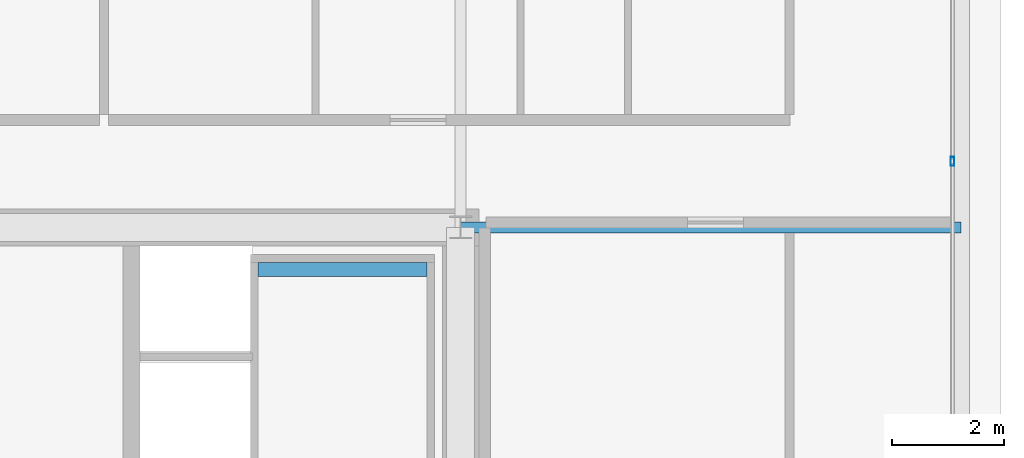
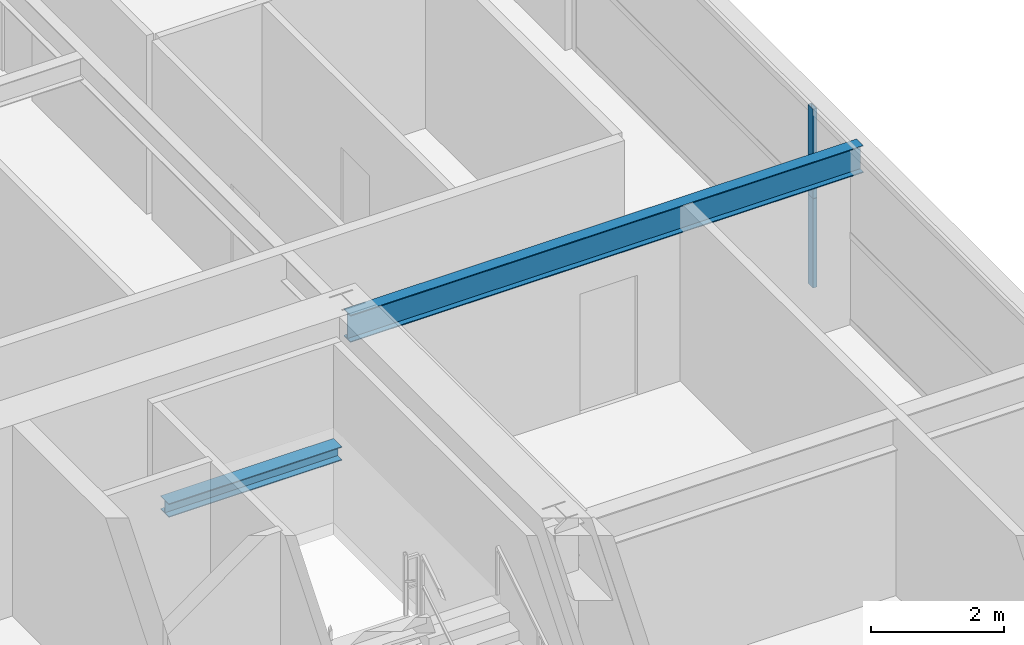
# One storey, part 21 of 38: 2 beams, 2 members, 1 element without a shape of its own.
"""IFC4 building model written with IfcOpenShell, lengths in metres."""

from ifc_helpers import new_model, si_unit, direction, frame, origin, origin_2d, place, context, subcontext, project, spatial, hollow_rectangle, i_section, extrude, source, transform, mapped, material, layer, layer_set, material_profile, profile_set, type_object, element, aggregate, save


model = new_model("IFC4")

# Units and contexts
model_context = context("Model", 3, precision=1e-05, world=origin(), true_north=direction((0.0, 1.0)))
body_context = subcontext(model_context, "Body", "Model", "MODEL_VIEW")
ifc_project = project(units=[si_unit("LENGTHUNIT", "METRE"), si_unit("AREAUNIT", "SQUARE_METRE"), si_unit("VOLUMEUNIT", "CUBIC_METRE"), si_unit("PLANEANGLEUNIT", "RADIAN"), si_unit("MASSUNIT", "GRAM", prefix="KILO"), si_unit("THERMODYNAMICTEMPERATUREUNIT", "KELVIN"), si_unit("POWERUNIT", "WATT")], contexts=[model_context])

# Site, building, storey
site_placement = place(None, origin())
site = spatial("IfcSite", under=ifc_project, at=site_placement, CompositionType="ELEMENT")
building_placement = place(site_placement, origin())
building = spatial("IfcBuilding", under=site, at=building_placement, Name="Yuzanri Waterfront Tower", CompositionType="ELEMENT")
storey_placement = place(building_placement, frame((0.0, 0.0, 209.0)))
storey = spatial("IfcBuildingStorey", under=building, at=storey_placement, Name="L55", CompositionType="ELEMENT", Elevation=209.0)

# Beam
ifc_material_1 = material(Name="Steel Q355B", Category="steel")
ifc_material_profile_1 = material_profile(ifc_material_1, i_section(OverallWidth=0.199951171875, OverallDepth=0.5, WebThickness=0.010009765625, FlangeThickness=0.01611328125, at=origin_2d()), Name="HN 500x200x10x16")
ifc_profile_set_1 = profile_set([ifc_material_profile_1], Name="Steel Q355B")
beam_type_1 = type_object("IfcBeamType", Name="Secondary Floor Beam Q355B HN 500x200", PredefinedType="BEAM", material=ifc_profile_set_1)
shared_shape_1 = source(origin(), body_context, "Body", "SweptSolid", [
    extrude(i_section(OverallWidth=0.199951171875, OverallDepth=0.5, WebThickness=0.010009765625, FlangeThickness=0.01611328125, at=origin_2d()), origin(), (0.0, 0.0, 1.0), 8.900146484375),
])
beam_1_placement = place(storey_placement, frame((50.199951171875, 32.199951171875, 3.030029296875), z_axis=(1.0, 0.0, 0.0), x_axis=(0.0, 1.0, 0.0)))
element("IfcBeam", 1, at=beam_1_placement, inside=storey, type_object=beam_type_1, Name="L55 East-North Core Line Beam", PredefinedType="BEAM", context=body_context, shape_type="MappedRepresentation", body=[
    mapped(shared_shape_1, transform((0.0, 0.0, 0.0), scale=1.0)),
])

# Curtain wall, members
ifc_material_2 = material(Name="Anodized Architectural Bronze", Category="metal")
ifc_layer = layer(ifc_material_2, 0.159912109375)
ifc_layer_set = layer_set([ifc_layer], Name="Anodized Architectural Bronze")
curtain_wall_type = type_object("IfcCurtainWallType", Name="Anodized Bronze Mid-Rise Residential Acoustic Unitized Curtain Wall 7200", PredefinedType="NOTDEFINED", material=ifc_layer_set)
curtain_wall_placement = place(storey_placement, origin())
curtain_wall = element("IfcCurtainWall", 2, at=curtain_wall_placement, inside=storey, type_object=curtain_wall_type, Name="L55 Curtain Wall CW-L55-ER", PredefinedType="NOTDEFINED")
ifc_material_3 = material(Name="Anodized Architectural Bronze", Category="metal")
ifc_material_profile_2 = material_profile(ifc_material_3, hollow_rectangle(XDim=0.06494140625, YDim=0.159912109375, WallThickness=0.00341796875, at=origin_2d()), Name="CWM 65x160")
ifc_profile_set_2 = profile_set([ifc_material_profile_2], Name="Anodized Architectural Bronze")
member_type = type_object("IfcMemberType", Name="Anodized Bronze Upper-Zone Curtain-Wall Mullion 65x160", PredefinedType="MULLION", material=ifc_profile_set_2)
shared_shape_2 = source(origin(), body_context, "Body", "SweptSolid", [
    extrude(hollow_rectangle(XDim=0.06494140625, YDim=0.159912109375, WallThickness=0.00341796875, at=origin_2d()), origin(), (0.0, 0.0, 1.0), 1.637939453125),
])
member_1_placement = place(storey_placement, frame((58.949951171875, 33.375, 0.0), z_axis=(0.0, 0.0, 1.0), x_axis=(1.0, 0.0, 0.0)))
member_1 = element("IfcMember", 3, at=member_1_placement, type_object=member_type, Name="CW-L55-ER Lower Mullion 01", PredefinedType="MULLION", context=body_context, shape_type="MappedRepresentation", body=[
    mapped(shared_shape_2, transform((0.0, 0.0, 0.0), scale=1.0)),
])
member_2_placement = place(storey_placement, frame((58.949951171875, 33.375, 1.64208984375), z_axis=(0.0, 0.0, 1.0), x_axis=(1.0, 0.0, 0.0)))
member_2 = element("IfcMember", 4, at=member_2_placement, type_object=member_type, Name="CW-L55-ER Upper Mullion 01", PredefinedType="MULLION", context=body_context, shape_type="MappedRepresentation", body=[
    mapped(shared_shape_2, transform((0.0, 0.0, 0.0), scale=1.0)),
])
aggregate(curtain_wall, [member_1, member_2])

# Beam
ifc_material_4 = material(Name="Steel Q355B", Category="steel")
ifc_material_profile_3 = material_profile(ifc_material_4, i_section(OverallWidth=0.25, OverallDepth=0.25, WebThickness=0.009033203125, FlangeThickness=0.013916015625, at=origin_2d()), Name="HW 250x250x9x14")
ifc_profile_set_3 = profile_set([ifc_material_profile_3], Name="Steel Q355B")
beam_type_2 = type_object("IfcBeamType", Name="Stair Landing Support Beam Q355B HW 250x250", PredefinedType="BEAM", material=ifc_profile_set_3)
shared_shape_3 = source(origin(), body_context, "Body", "SweptSolid", [
    extrude(i_section(OverallWidth=0.25, OverallDepth=0.25, WebThickness=0.009033203125, FlangeThickness=0.013916015625, at=origin_2d()), origin(), (0.0, 0.0, 1.0), 3.0),
])
beam_2_placement = place(storey_placement, frame((46.60009765625, 31.449951171875, 1.425048828125), z_axis=(1.0, 0.0, 0.0), x_axis=(0.0, 1.0, 0.0)))
element("IfcBeam", 5, at=beam_2_placement, inside=storey, type_object=beam_type_2, Name="L55 Stair Landing Support Beam ST-02-L55-L1-2", PredefinedType="BEAM", context=body_context, shape_type="MappedRepresentation", body=[
    mapped(shared_shape_3, transform((0.0, 0.0, 0.0), scale=1.0)),
])

save(model, "model.ifc")
